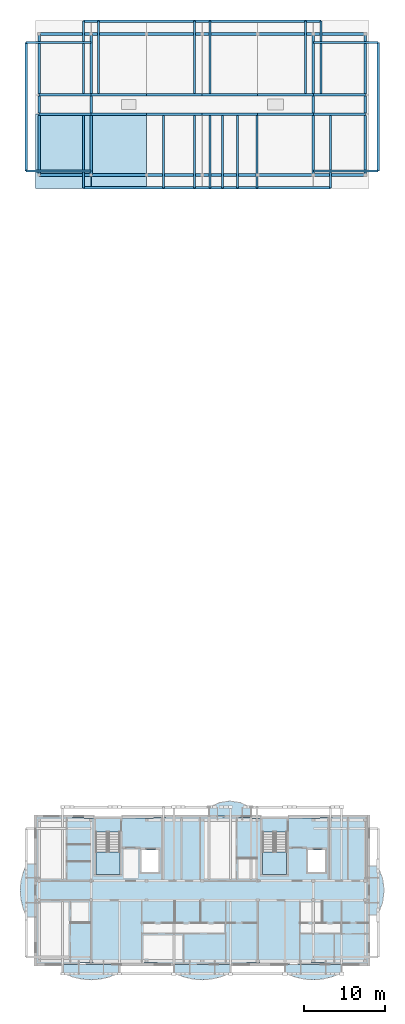
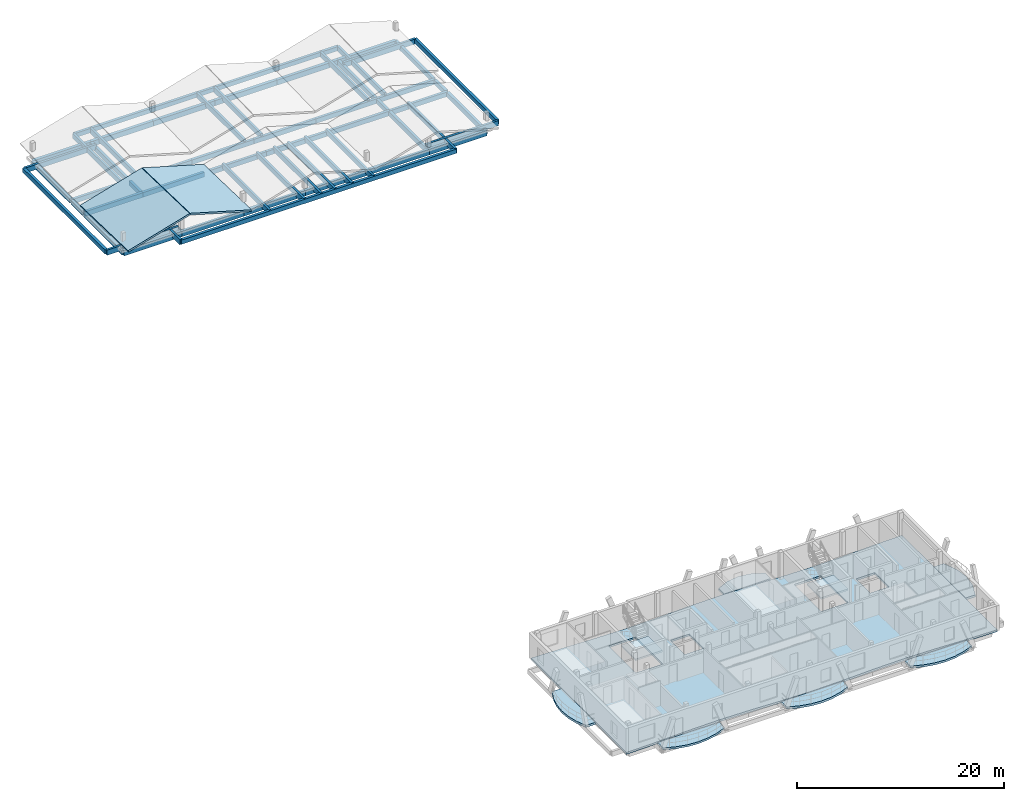
# One storey, part 2 of 10: 58 beams, 11 slabs, 2 elements without a shape of their own.
"""IFC4 building model written with IfcOpenShell, lengths in metres."""

from ifc_helpers import new_model, si_unit, direction, frame, origin, origin_2d, place, context, subcontext, project, spatial, polyline, rectangle, outline, extrude, material, layer, layer_set, material_profile, profile_set, type_object, element, aggregate, save


model = new_model("IFC4")

# Units and contexts
model_context = context("Model", 3, precision=1e-05, world=origin(), true_north=direction((0.0, 1.0)))
body_context = subcontext(model_context, "Body", "Model", "MODEL_VIEW")
ifc_project = project(units=[si_unit("LENGTHUNIT", "METRE"), si_unit("AREAUNIT", "SQUARE_METRE"), si_unit("VOLUMEUNIT", "CUBIC_METRE"), si_unit("PLANEANGLEUNIT", "RADIAN"), si_unit("MASSUNIT", "GRAM", prefix="KILO")], contexts=[model_context])

# Site, building, storey
site_placement = place(None, origin())
site = spatial("IfcSite", under=ifc_project, at=site_placement, CompositionType="ELEMENT")
building_placement = place(site_placement, origin())
building = spatial("IfcBuilding", under=site, at=building_placement, Name="Zavelmont Quarter", CompositionType="ELEMENT")
storey_placement = place(building_placement, frame((0.0, 0.0, 43.199951171875)))
storey = spatial("IfcBuildingStorey", under=building, at=storey_placement, Name="L13", CompositionType="ELEMENT", Elevation=43.199951171875)

# Beams
ifc_material_1 = material(Name="Concrete C35/45", Category="concrete")
ifc_material_profile_1 = material_profile(ifc_material_1, rectangle(XDim=0.35009765625, YDim=0.60009765625, at=origin_2d()), Name="RC350X600")
ifc_profile_set_1 = profile_set([ifc_material_profile_1], Name="Concrete C35/45")
beam_type_1 = type_object("IfcBeamType", Name="BM01", PredefinedType="SPANDREL", material=ifc_profile_set_1)
beam_1_placement = place(storey_placement, frame((0.43994140625, 98.0400390625, -0.58984375), z_axis=(1.0, 0.0, 0.0), x_axis=(0.0, 1.0, 0.0)))
element("IfcBeam", 1, at=beam_1_placement, inside=storey, type_object=beam_type_1, Name="L13 beam BM01 1/P to 2/P", PredefinedType="SPANDREL", context=body_context, shape_type="SweptSolid", body=[
    extrude(rectangle(XDim=0.35009765625, YDim=0.60009765625, at=origin_2d()), origin(), (0.0, 0.0, 1.0), 6.4599609375),
])
beam_2_placement = place(storey_placement, frame((6.89990234375, 98.0400390625, -0.58984375), z_axis=(1.0, 0.0, 0.0), x_axis=(0.0, 1.0, 0.0)))
element("IfcBeam", 2, at=beam_2_placement, inside=storey, type_object=beam_type_1, Name="L13 beam BM01 2/P to 3/P", PredefinedType="SPANDREL", context=body_context, shape_type="SweptSolid", body=[
    extrude(rectangle(XDim=0.35009765625, YDim=0.60009765625, at=origin_2d()), origin(), (0.0, 0.0, 1.0), 6.900146484375),
])
beam_3_placement = place(storey_placement, frame((13.800048828125, 98.0400390625, -0.58984375), z_axis=(1.0, 0.0, 0.0), x_axis=(0.0, 1.0, 0.0)))
element("IfcBeam", 3, at=beam_3_placement, inside=storey, type_object=beam_type_1, Name="L13 beam BM01 3/P to 4/P", PredefinedType="SPANDREL", context=body_context, shape_type="SweptSolid", body=[
    extrude(rectangle(XDim=0.35009765625, YDim=0.60009765625, at=origin_2d()), origin(), (0.0, 0.0, 1.0), 6.89990234375),
])
beam_4_placement = place(storey_placement, frame((20.699951171875, 98.0400390625, -0.58984375), z_axis=(1.0, 0.0, 0.0), x_axis=(0.0, 1.0, 0.0)))
element("IfcBeam", 4, at=beam_4_placement, inside=storey, type_object=beam_type_1, Name="L13 beam BM01 4/P to 5/P", PredefinedType="SPANDREL", context=body_context, shape_type="SweptSolid", body=[
    extrude(rectangle(XDim=0.35009765625, YDim=0.60009765625, at=origin_2d()), origin(), (0.0, 0.0, 1.0), 6.900146484375),
])
beam_5_placement = place(storey_placement, frame((27.60009765625, 98.0400390625, -0.58984375), z_axis=(1.0, 0.0, 0.0), x_axis=(0.0, 1.0, 0.0)))
element("IfcBeam", 5, at=beam_5_placement, inside=storey, type_object=beam_type_1, Name="L13 beam BM01 5/P to 6/P", PredefinedType="SPANDREL", context=body_context, shape_type="SweptSolid", body=[
    extrude(rectangle(XDim=0.35009765625, YDim=0.60009765625, at=origin_2d()), origin(), (0.0, 0.0, 1.0), 6.89990234375),
])
for number, where, z_axis, x_axis, name in (
    (6, (34.5, 98.0400390625, -0.58984375), (1.0, 0.0, 0.0), (0.0, 1.0, 0.0), "L13 beam BM01 6/P to 7/P"),
    (7, (0.43994140625, 115.56005859375, -0.58984375), (1.0, 0.0, 0.0), (0.0, 1.0, 0.0), "L13 beam BM01 1/S to 2/S"),
):
    element("IfcBeam", number, at=place(storey_placement, frame(where, z_axis=z_axis, x_axis=x_axis)), inside=storey, type_object=beam_type_1, Name=name, PredefinedType="SPANDREL", context=body_context, shape_type="SweptSolid", body=[
        extrude(rectangle(XDim=0.35009765625, YDim=0.60009765625, at=origin_2d()), origin(), (0.0, 0.0, 1.0), 6.4599609375),
    ])
beam_6_placement = place(storey_placement, frame((6.89990234375, 115.56005859375, -0.58984375), z_axis=(1.0, 0.0, 0.0), x_axis=(0.0, 1.0, 0.0)))
element("IfcBeam", 8, at=beam_6_placement, inside=storey, type_object=beam_type_1, Name="L13 beam BM01 2/S to 3/S", PredefinedType="SPANDREL", context=body_context, shape_type="SweptSolid", body=[
    extrude(rectangle(XDim=0.35009765625, YDim=0.60009765625, at=origin_2d()), origin(), (0.0, 0.0, 1.0), 6.900146484375),
])
beam_7_placement = place(storey_placement, frame((13.800048828125, 115.56005859375, -0.58984375), z_axis=(1.0, 0.0, 0.0), x_axis=(0.0, 1.0, 0.0)))
element("IfcBeam", 9, at=beam_7_placement, inside=storey, type_object=beam_type_1, Name="L13 beam BM01 3/S to 4/S", PredefinedType="SPANDREL", context=body_context, shape_type="SweptSolid", body=[
    extrude(rectangle(XDim=0.35009765625, YDim=0.60009765625, at=origin_2d()), origin(), (0.0, 0.0, 1.0), 6.89990234375),
])
beam_8_placement = place(storey_placement, frame((20.699951171875, 115.56005859375, -0.58984375), z_axis=(1.0, 0.0, 0.0), x_axis=(0.0, 1.0, 0.0)))
element("IfcBeam", 10, at=beam_8_placement, inside=storey, type_object=beam_type_1, Name="L13 beam BM01 4/S to 5/S", PredefinedType="SPANDREL", context=body_context, shape_type="SweptSolid", body=[
    extrude(rectangle(XDim=0.35009765625, YDim=0.60009765625, at=origin_2d()), origin(), (0.0, 0.0, 1.0), 6.900146484375),
])
beam_9_placement = place(storey_placement, frame((27.60009765625, 115.56005859375, -0.58984375), z_axis=(1.0, 0.0, 0.0), x_axis=(0.0, 1.0, 0.0)))
element("IfcBeam", 11, at=beam_9_placement, inside=storey, type_object=beam_type_1, Name="L13 beam BM01 5/S to 6/S", PredefinedType="SPANDREL", context=body_context, shape_type="SweptSolid", body=[
    extrude(rectangle(XDim=0.35009765625, YDim=0.60009765625, at=origin_2d()), origin(), (0.0, 0.0, 1.0), 6.89990234375),
])
beam_10_placement = place(storey_placement, frame((34.5, 115.56005859375, -0.58984375), z_axis=(1.0, 0.0, 0.0), x_axis=(0.0, 1.0, 0.0)))
element("IfcBeam", 12, at=beam_10_placement, inside=storey, type_object=beam_type_1, Name="L13 beam BM01 6/S to 7/S", PredefinedType="SPANDREL", context=body_context, shape_type="SweptSolid", body=[
    extrude(rectangle(XDim=0.35009765625, YDim=0.60009765625, at=origin_2d()), origin(), (0.0, 0.0, 1.0), 6.4599609375),
])
ifc_material_profile_2 = material_profile(ifc_material_1, rectangle(XDim=0.300048828125, YDim=0.550048828125, at=origin_2d()), Name="RC300X550")
ifc_profile_set_2 = profile_set([ifc_material_profile_2], Name="Concrete C35/45")
beam_type_2 = type_object("IfcBeamType", Name="BM02", PredefinedType="SPANDREL", material=ifc_profile_set_2)
beam_11_placement = place(storey_placement, frame((0.43994140625, 105.60009765625, -0.56494140625), z_axis=(1.0, 0.0, 0.0), x_axis=(0.0, 1.0, 0.0)))
element("IfcBeam", 13, at=beam_11_placement, inside=storey, type_object=beam_type_2, Name="L13 beam BM02 1/Q to 2/Q", PredefinedType="SPANDREL", context=body_context, shape_type="SweptSolid", body=[
    extrude(rectangle(XDim=0.300048828125, YDim=0.550048828125, at=origin_2d()), origin(), (0.0, 0.0, 1.0), 6.4599609375),
])
beam_12_placement = place(storey_placement, frame((6.89990234375, 105.60009765625, -0.56494140625), z_axis=(1.0, 0.0, 0.0), x_axis=(0.0, 1.0, 0.0)))
element("IfcBeam", 14, at=beam_12_placement, inside=storey, type_object=beam_type_2, Name="L13 beam BM02 2/Q to 3/Q", PredefinedType="SPANDREL", context=body_context, shape_type="SweptSolid", body=[
    extrude(rectangle(XDim=0.300048828125, YDim=0.550048828125, at=origin_2d()), origin(), (0.0, 0.0, 1.0), 6.900146484375),
])
beam_13_placement = place(storey_placement, frame((13.800048828125, 105.60009765625, -0.56494140625), z_axis=(1.0, 0.0, 0.0), x_axis=(0.0, 1.0, 0.0)))
element("IfcBeam", 15, at=beam_13_placement, inside=storey, type_object=beam_type_2, Name="L13 beam BM02 3/Q to 4/Q", PredefinedType="SPANDREL", context=body_context, shape_type="SweptSolid", body=[
    extrude(rectangle(XDim=0.300048828125, YDim=0.550048828125, at=origin_2d()), origin(), (0.0, 0.0, 1.0), 6.89990234375),
])
beam_14_placement = place(storey_placement, frame((20.699951171875, 105.60009765625, -0.56494140625), z_axis=(1.0, 0.0, 0.0), x_axis=(0.0, 1.0, 0.0)))
element("IfcBeam", 16, at=beam_14_placement, inside=storey, type_object=beam_type_2, Name="L13 beam BM02 4/Q to 5/Q", PredefinedType="SPANDREL", context=body_context, shape_type="SweptSolid", body=[
    extrude(rectangle(XDim=0.300048828125, YDim=0.550048828125, at=origin_2d()), origin(), (0.0, 0.0, 1.0), 6.900146484375),
])
beam_15_placement = place(storey_placement, frame((27.60009765625, 105.60009765625, -0.56494140625), z_axis=(1.0, 0.0, 0.0), x_axis=(0.0, 1.0, 0.0)))
element("IfcBeam", 17, at=beam_15_placement, inside=storey, type_object=beam_type_2, Name="L13 beam BM02 5/Q to 6/Q", PredefinedType="SPANDREL", context=body_context, shape_type="SweptSolid", body=[
    extrude(rectangle(XDim=0.300048828125, YDim=0.550048828125, at=origin_2d()), origin(), (0.0, 0.0, 1.0), 6.89990234375),
])
for number, where, z_axis, x_axis, name in (
    (18, (34.5, 105.60009765625, -0.56494140625), (1.0, 0.0, 0.0), (0.0, 1.0, 0.0), "L13 beam BM02 6/Q to 7/Q"),
    (19, (0.43994140625, 108.0, -0.56494140625), (1.0, 0.0, 0.0), (0.0, 1.0, 0.0), "L13 beam BM02 1/R to 2/R"),
):
    element("IfcBeam", number, at=place(storey_placement, frame(where, z_axis=z_axis, x_axis=x_axis)), inside=storey, type_object=beam_type_2, Name=name, PredefinedType="SPANDREL", context=body_context, shape_type="SweptSolid", body=[
        extrude(rectangle(XDim=0.300048828125, YDim=0.550048828125, at=origin_2d()), origin(), (0.0, 0.0, 1.0), 6.4599609375),
    ])
beam_16_placement = place(storey_placement, frame((6.89990234375, 108.0, -0.56494140625), z_axis=(1.0, 0.0, 0.0), x_axis=(0.0, 1.0, 0.0)))
element("IfcBeam", 20, at=beam_16_placement, inside=storey, type_object=beam_type_2, Name="L13 beam BM02 2/R to 3/R", PredefinedType="SPANDREL", context=body_context, shape_type="SweptSolid", body=[
    extrude(rectangle(XDim=0.300048828125, YDim=0.550048828125, at=origin_2d()), origin(), (0.0, 0.0, 1.0), 6.900146484375),
])
beam_17_placement = place(storey_placement, frame((13.800048828125, 108.0, -0.56494140625), z_axis=(1.0, 0.0, 0.0), x_axis=(0.0, 1.0, 0.0)))
element("IfcBeam", 21, at=beam_17_placement, inside=storey, type_object=beam_type_2, Name="L13 beam BM02 3/R to 4/R", PredefinedType="SPANDREL", context=body_context, shape_type="SweptSolid", body=[
    extrude(rectangle(XDim=0.300048828125, YDim=0.550048828125, at=origin_2d()), origin(), (0.0, 0.0, 1.0), 6.89990234375),
])
beam_18_placement = place(storey_placement, frame((20.699951171875, 108.0, -0.56494140625), z_axis=(1.0, 0.0, 0.0), x_axis=(0.0, 1.0, 0.0)))
element("IfcBeam", 22, at=beam_18_placement, inside=storey, type_object=beam_type_2, Name="L13 beam BM02 4/R to 5/R", PredefinedType="SPANDREL", context=body_context, shape_type="SweptSolid", body=[
    extrude(rectangle(XDim=0.300048828125, YDim=0.550048828125, at=origin_2d()), origin(), (0.0, 0.0, 1.0), 6.900146484375),
])
beam_19_placement = place(storey_placement, frame((27.60009765625, 108.0, -0.56494140625), z_axis=(1.0, 0.0, 0.0), x_axis=(0.0, 1.0, 0.0)))
element("IfcBeam", 23, at=beam_19_placement, inside=storey, type_object=beam_type_2, Name="L13 beam BM02 5/R to 6/R", PredefinedType="SPANDREL", context=body_context, shape_type="SweptSolid", body=[
    extrude(rectangle(XDim=0.300048828125, YDim=0.550048828125, at=origin_2d()), origin(), (0.0, 0.0, 1.0), 6.89990234375),
])
beam_20_placement = place(storey_placement, frame((34.5, 108.0, -0.56494140625), z_axis=(1.0, 0.0, 0.0), x_axis=(0.0, 1.0, 0.0)))
element("IfcBeam", 24, at=beam_20_placement, inside=storey, type_object=beam_type_2, Name="L13 beam BM02 6/R to 7/R", PredefinedType="SPANDREL", context=body_context, shape_type="SweptSolid", body=[
    extrude(rectangle(XDim=0.300048828125, YDim=0.550048828125, at=origin_2d()), origin(), (0.0, 0.0, 1.0), 6.4599609375),
])
beam_21_placement = place(storey_placement, frame((0.43994140625, 98.0400390625, -0.56494140625), z_axis=(0.0, 1.0, 0.0), x_axis=(-1.0, 0.0, 0.0)))
element("IfcBeam", 25, at=beam_21_placement, inside=storey, type_object=beam_type_2, Name="L13 beam BM02 1/P to 1/Q", PredefinedType="SPANDREL", context=body_context, shape_type="SweptSolid", body=[
    extrude(rectangle(XDim=0.300048828125, YDim=0.550048828125, at=origin_2d()), origin(), (0.0, 0.0, 1.0), 7.419921875),
])
beam_22_placement = place(storey_placement, frame((0.43994140625, 105.739990234375, -0.56494140625), z_axis=(0.0, 1.0, 0.0), x_axis=(-1.0, 0.0, 0.0)))
element("IfcBeam", 26, at=beam_22_placement, inside=storey, type_object=beam_type_2, Name="L13 beam BM02 1/Q to 1/R", PredefinedType="SPANDREL", context=body_context, shape_type="SweptSolid", body=[
    extrude(rectangle(XDim=0.300048828125, YDim=0.550048828125, at=origin_2d()), origin(), (0.0, 0.0, 1.0), 2.1201171875),
])
beam_23_placement = place(storey_placement, frame((0.43994140625, 108.139892578125, -0.56494140625), z_axis=(0.0, 1.0, 0.0), x_axis=(-1.0, 0.0, 0.0)))
element("IfcBeam", 27, at=beam_23_placement, inside=storey, type_object=beam_type_2, Name="L13 beam BM02 1/R to 1/S", PredefinedType="SPANDREL", context=body_context, shape_type="SweptSolid", body=[
    extrude(rectangle(XDim=0.300048828125, YDim=0.550048828125, at=origin_2d()), origin(), (0.0, 0.0, 1.0), 7.420166015625),
])
beam_24_placement = place(storey_placement, frame((6.89990234375, 98.0400390625, -0.56494140625), z_axis=(0.0, 1.0, 0.0), x_axis=(-1.0, 0.0, 0.0)))
element("IfcBeam", 28, at=beam_24_placement, inside=storey, type_object=beam_type_2, Name="L13 beam BM02 2/P to 2/Q", PredefinedType="SPANDREL", context=body_context, shape_type="SweptSolid", body=[
    extrude(rectangle(XDim=0.300048828125, YDim=0.550048828125, at=origin_2d()), origin(), (0.0, 0.0, 1.0), 7.419921875),
])
beam_25_placement = place(storey_placement, frame((6.89990234375, 105.739990234375, -0.56494140625), z_axis=(0.0, 1.0, 0.0), x_axis=(-1.0, 0.0, 0.0)))
element("IfcBeam", 29, at=beam_25_placement, inside=storey, type_object=beam_type_2, Name="L13 beam BM02 2/Q to 2/R", PredefinedType="SPANDREL", context=body_context, shape_type="SweptSolid", body=[
    extrude(rectangle(XDim=0.300048828125, YDim=0.550048828125, at=origin_2d()), origin(), (0.0, 0.0, 1.0), 2.1201171875),
])
beam_26_placement = place(storey_placement, frame((6.89990234375, 108.139892578125, -0.56494140625), z_axis=(0.0, 1.0, 0.0), x_axis=(-1.0, 0.0, 0.0)))
element("IfcBeam", 30, at=beam_26_placement, inside=storey, type_object=beam_type_2, Name="L13 beam BM02 2/R to 2/S", PredefinedType="SPANDREL", context=body_context, shape_type="SweptSolid", body=[
    extrude(rectangle(XDim=0.300048828125, YDim=0.550048828125, at=origin_2d()), origin(), (0.0, 0.0, 1.0), 7.420166015625),
])
beam_27_placement = place(storey_placement, frame((34.5, 98.0400390625, -0.56494140625), z_axis=(0.0, 1.0, 0.0), x_axis=(-1.0, 0.0, 0.0)))
element("IfcBeam", 31, at=beam_27_placement, inside=storey, type_object=beam_type_2, Name="L13 beam BM02 6/P to 6/Q", PredefinedType="SPANDREL", context=body_context, shape_type="SweptSolid", body=[
    extrude(rectangle(XDim=0.300048828125, YDim=0.550048828125, at=origin_2d()), origin(), (0.0, 0.0, 1.0), 7.419921875),
])
beam_28_placement = place(storey_placement, frame((34.5, 105.739990234375, -0.56494140625), z_axis=(0.0, 1.0, 0.0), x_axis=(-1.0, 0.0, 0.0)))
element("IfcBeam", 32, at=beam_28_placement, inside=storey, type_object=beam_type_2, Name="L13 beam BM02 6/Q to 6/R", PredefinedType="SPANDREL", context=body_context, shape_type="SweptSolid", body=[
    extrude(rectangle(XDim=0.300048828125, YDim=0.550048828125, at=origin_2d()), origin(), (0.0, 0.0, 1.0), 2.1201171875),
])
beam_29_placement = place(storey_placement, frame((34.5, 108.139892578125, -0.56494140625), z_axis=(0.0, 1.0, 0.0), x_axis=(-1.0, 0.0, 0.0)))
element("IfcBeam", 33, at=beam_29_placement, inside=storey, type_object=beam_type_2, Name="L13 beam BM02 6/R to 6/S", PredefinedType="SPANDREL", context=body_context, shape_type="SweptSolid", body=[
    extrude(rectangle(XDim=0.300048828125, YDim=0.550048828125, at=origin_2d()), origin(), (0.0, 0.0, 1.0), 7.420166015625),
])
beam_30_placement = place(storey_placement, frame((40.9599609375, 98.0400390625, -0.56494140625), z_axis=(0.0, 1.0, 0.0), x_axis=(-1.0, 0.0, 0.0)))
element("IfcBeam", 34, at=beam_30_placement, inside=storey, type_object=beam_type_2, Name="L13 beam BM02 7/P to 7/Q", PredefinedType="SPANDREL", context=body_context, shape_type="SweptSolid", body=[
    extrude(rectangle(XDim=0.300048828125, YDim=0.550048828125, at=origin_2d()), origin(), (0.0, 0.0, 1.0), 7.419921875),
])
beam_31_placement = place(storey_placement, frame((40.9599609375, 105.739990234375, -0.56494140625), z_axis=(0.0, 1.0, 0.0), x_axis=(-1.0, 0.0, 0.0)))
element("IfcBeam", 35, at=beam_31_placement, inside=storey, type_object=beam_type_2, Name="L13 beam BM02 7/Q to 7/R", PredefinedType="SPANDREL", context=body_context, shape_type="SweptSolid", body=[
    extrude(rectangle(XDim=0.300048828125, YDim=0.550048828125, at=origin_2d()), origin(), (0.0, 0.0, 1.0), 2.1201171875),
])
beam_32_placement = place(storey_placement, frame((40.9599609375, 108.139892578125, -0.56494140625), z_axis=(0.0, 1.0, 0.0), x_axis=(-1.0, 0.0, 0.0)))
element("IfcBeam", 36, at=beam_32_placement, inside=storey, type_object=beam_type_2, Name="L13 beam BM02 7/R to 7/S", PredefinedType="SPANDREL", context=body_context, shape_type="SweptSolid", body=[
    extrude(rectangle(XDim=0.300048828125, YDim=0.550048828125, at=origin_2d()), origin(), (0.0, 0.0, 1.0), 7.420166015625),
])
ifc_material_profile_3 = material_profile(ifc_material_1, rectangle(XDim=0.300048828125, YDim=0.5, at=origin_2d()), Name="RC300X500")
ifc_profile_set_3 = profile_set([ifc_material_profile_3], Name="Concrete C35/45")
beam_type_3 = type_object("IfcBeamType", Name="BM03", PredefinedType="BEAM", material=ifc_profile_set_3)
beam_33_placement = place(storey_placement, frame((5.949951171875, 117.14990234375, -0.25), z_axis=(1.0, 0.0, 0.0), x_axis=(0.0, 1.0, 0.0)))
element("IfcBeam", 37, at=beam_33_placement, inside=storey, type_object=beam_type_3, Name="L13 beam BM03 2/S to 6/S", PredefinedType="BEAM", context=body_context, shape_type="SweptSolid", body=[
    extrude(rectangle(XDim=0.300048828125, YDim=0.5, at=origin_2d()), origin(), (0.0, 0.0, 1.0), 29.5),
])
beam_34_placement = place(storey_placement, frame((5.949951171875, 96.449951171875, -0.25), z_axis=(1.0, 0.0, 0.0), x_axis=(0.0, 1.0, 0.0)))
element("IfcBeam", 38, at=beam_34_placement, inside=storey, type_object=beam_type_3, Name="L13 beam BM03 2/P to 6/P", PredefinedType="BEAM", context=body_context, shape_type="SweptSolid", body=[
    extrude(rectangle(XDim=0.300048828125, YDim=0.5, at=origin_2d()), origin(), (0.0, 0.0, 1.0), 30.675048828125),
])
for number, where, z_axis, x_axis, name in (
    (39, (-1.14990234375, 98.550048828125, -0.25), (0.0, 1.0, 0.0), (-1.0, 0.0, 0.0), "L13 beam BM03 1/P to 1/S"),
    (40, (42.550048828125, 98.550048828125, -0.25), (0.0, 1.0, 0.0), (-1.0, 0.0, 0.0), "L13 beam BM03 7/P to 7/S"),
):
    element("IfcBeam", number, at=place(storey_placement, frame(where, z_axis=z_axis, x_axis=x_axis)), inside=storey, type_object=beam_type_3, Name=name, PredefinedType="BEAM", context=body_context, shape_type="SweptSolid", body=[
        extrude(rectangle(XDim=0.300048828125, YDim=0.5, at=origin_2d()), origin(), (0.0, 0.0, 1.0), 15.949951171875),
    ])
ifc_material_2 = material(Name="Concrete C40/50", Category="concrete")
ifc_material_profile_4 = material_profile(ifc_material_2, rectangle(XDim=0.25, YDim=0.60009765625, at=origin_2d()), Name="RC250X600")
ifc_profile_set_4 = profile_set([ifc_material_profile_4], Name="Concrete C40/50")
beam_type_4 = type_object("IfcBeamType", Name="BM18", PredefinedType="BEAM", material=ifc_profile_set_4)
for number, where, z_axis, x_axis, name in (
    (41, (5.949951171875, 108.0, -0.300048828125), (0.0, 1.0, 0.0), (-1.0, 0.0, 0.0), "L13 beam BM18 2/R to 2/S"),
    (42, (7.85009765625, 108.0, -0.300048828125), (0.0, 1.0, 0.0), (-1.0, 0.0, 0.0), "L13 beam BM18 2/R to 2/S"),
    (43, (19.75, 108.0, -0.300048828125), (0.0, 1.0, 0.0), (-1.0, 0.0, 0.0), "L13 beam BM18 4/R to 4/S"),
    (44, (21.64990234375, 108.0, -0.300048828125), (0.0, 1.0, 0.0), (-1.0, 0.0, 0.0), "L13 beam BM18 4/R to 4/S"),
    (45, (33.550048828125, 108.0, -0.300048828125), (0.0, 1.0, 0.0), (-1.0, 0.0, 0.0), "L13 beam BM18 6/R to 6/S"),
    (46, (35.449951171875, 108.0, -0.300048828125), (0.0, 1.0, 0.0), (-1.0, 0.0, 0.0), "L13 beam BM18 6/R to 6/S"),
):
    element("IfcBeam", number, at=place(storey_placement, frame(where, z_axis=z_axis, x_axis=x_axis)), inside=storey, type_object=beam_type_4, Name=name, PredefinedType="BEAM", context=body_context, shape_type="SweptSolid", body=[
        extrude(rectangle(XDim=0.25, YDim=0.60009765625, at=origin_2d()), origin(), (0.0, 0.0, 1.0), 9.14990234375),
    ])
for number, where, z_axis, x_axis, name in (
    (47, (5.949951171875, 105.60009765625, -0.300048828125), (0.0, -1.0, 0.0), (1.0, 0.0, 0.0), "L13 beam BM18 2/Q to 2/P"),
    (48, (15.925048828125, 105.60009765625, -0.300048828125), (0.0, -1.0, 0.0), (1.0, 0.0, 0.0), "L13 beam BM18 3/Q to 3/P"),
    (49, (19.75, 105.60009765625, -0.300048828125), (0.0, -1.0, 0.0), (1.0, 0.0, 0.0), "L13 beam BM18 4/Q to 4/P"),
    (50, (21.64990234375, 105.60009765625, -0.300048828125), (0.0, -1.0, 0.0), (1.0, 0.0, 0.0), "L13 beam BM18 4/Q to 4/P"),
    (51, (27.5, 105.60009765625, -0.300048828125), (0.0, -1.0, 0.0), (1.0, 0.0, 0.0), "L13 beam BM18 5/Q to 5/P"),
    (52, (36.625, 105.60009765625, -0.300048828125), (0.0, -1.0, 0.0), (1.0, 0.0, 0.0), "L13 beam BM18 6/Q to 6/P"),
    (53, (23.199951171875, 105.60009765625, -0.300048828125), (0.0, -1.0, 0.0), (1.0, 0.0, 0.0), "L13 beam BM18 4/Q to 4/P"),
    (54, (25.10009765625, 105.60009765625, -0.300048828125), (0.0, -1.0, 0.0), (1.0, 0.0, 0.0), "L13 beam BM18 5/Q to 5/P"),
):
    element("IfcBeam", number, at=place(storey_placement, frame(where, z_axis=z_axis, x_axis=x_axis)), inside=storey, type_object=beam_type_4, Name=name, PredefinedType="BEAM", context=body_context, shape_type="SweptSolid", body=[
        extrude(rectangle(XDim=0.25, YDim=0.60009765625, at=origin_2d()), origin(), (0.0, 0.0, 1.0), 9.150146484375),
    ])
for number, where, z_axis, x_axis, name in (
    (55, (6.89990234375, 98.550048828125, -0.300048828125), (-1.0, 0.0, 0.0), (0.0, -1.0, 0.0), "L13 beam BM18 2/P to 1/P"),
    (56, (6.89990234375, 114.5, -0.300048828125), (-1.0, 0.0, 0.0), (0.0, -1.0, 0.0), "L13 beam BM18 2/S to 1/S"),
):
    element("IfcBeam", number, at=place(storey_placement, frame(where, z_axis=z_axis, x_axis=x_axis)), inside=storey, type_object=beam_type_4, Name=name, PredefinedType="BEAM", context=body_context, shape_type="SweptSolid", body=[
        extrude(rectangle(XDim=0.25, YDim=0.60009765625, at=origin_2d()), origin(), (0.0, 0.0, 1.0), 8.0498046875),
    ])
for number, where, z_axis, x_axis, name in (
    (57, (34.5, 98.550048828125, -0.300048828125), (1.0, 0.0, 0.0), (0.0, 1.0, 0.0), "L13 beam BM18 6/P to 7/P"),
    (58, (34.5, 114.5, -0.300048828125), (1.0, 0.0, 0.0), (0.0, 1.0, 0.0), "L13 beam BM18 6/S to 7/S"),
):
    element("IfcBeam", number, at=place(storey_placement, frame(where, z_axis=z_axis, x_axis=x_axis)), inside=storey, type_object=beam_type_4, Name=name, PredefinedType="BEAM", context=body_context, shape_type="SweptSolid", body=[
        extrude(rectangle(XDim=0.25, YDim=0.60009765625, at=origin_2d()), origin(), (0.0, 0.0, 1.0), 8.050048828125),
    ])

# Slabs
ifc_material_3 = material(Name="White architectural precast concrete C40/50", Category="concrete")
ifc_layer_1 = layer(ifc_material_3, 0.199951171875)
ifc_layer_set_1 = layer_set([ifc_layer_1], Name="White architectural precast concrete C40/50")
slab_type_1 = type_object("IfcSlabType", Name="CRBS1", PredefinedType="ROOF", material=ifc_layer_set_1)
slab_1_placement = place(storey_placement, frame((0.0, 96.35009765625, 0.800048828125), z_axis=(-0.278254898233, 0.025880556403, 0.960158532957), x_axis=(0.960480253212, 0.0, 0.278348133082)))
element("IfcSlab", 59, at=slab_1_placement, inside=storey, type_object=slab_type_1, Name="Block B pleated crown roof CRBS1", PredefinedType="ROOF", context=body_context, shape_type="SweptSolid", body=[
    extrude(outline(polyline([(0.0, 0.0), (7.1527937867830085, -6.938893903907228e-18), (7.083206753512389, 9.278010084651765), (-0.06958703327061955, 9.278010084651765), (0.0, 0.0)])), origin(), (0.0, 0.0, -1.0), 0.199951171875),
])
ifc_layer_2 = layer(ifc_material_3, 0.199951171875)
ifc_layer_set_2 = layer_set([ifc_layer_2], Name="White architectural precast concrete C40/50")
slab_type_2 = type_object("IfcSlabType", Name="CRBS2", PredefinedType="ROOF", material=ifc_layer_set_2)
slab_2_placement = place(storey_placement, frame((6.929931640625, 96.35009765625, 2.791015625), z_axis=(0.278254898233, 0.025880556403, 0.960158532957), x_axis=(0.960480253212, 0.0, -0.278348133082)))
element("IfcSlab", 60, at=slab_2_placement, inside=storey, type_object=slab_type_2, Name="Block B pleated crown roof CRBS2", PredefinedType="ROOF", context=body_context, shape_type="SweptSolid", body=[
    extrude(outline(polyline([(0.0, 0.0), (7.1527937867830085, 6.938893903907228e-18), (7.222380820053628, 9.278010084651765), (0.06958703327061955, 9.278010084651765), (0.0, 0.0)])), origin(), (0.0, 0.0, -1.0), 0.199951171875),
])
ifc_layer_3 = layer(ifc_material_3, 0.235107421875)
ifc_layer_set_3 = layer_set([ifc_layer_3], Name="White architectural precast concrete C40/50")
slab_type_3 = type_object("IfcSlabType", Name="SL-BL180", PredefinedType="FLOOR", material=ifc_layer_set_3)
slab_3_placement = place(storey_placement, frame((0.0, 0.0, -0.23486328125)))
element("IfcSlab", 61, at=slab_3_placement, inside=storey, type_object=slab_type_3, Name="L13 Block A street vase 1 balcony SL-BL180", PredefinedType="FLOOR", context=body_context, shape_type="SweptSolid", body=[
    extrude(outline(polyline([(3.47119140625, -0.02001953125), (3.47119140625, -1.10009765625), (4.614013671875, -1.545654296875), (5.757080078125, -1.81298828125), (6.89990234375, -1.902099609375), (8.04296875, -1.81298828125), (9.185791015625, -1.545654296875), (10.328857421875, -1.10009765625), (10.328857421875, -0.02001953125), (3.47119140625, -0.02001953125)])), origin(), (0.0, 0.0, 1.0), 0.23486328125),
])
slab_4_placement = place(storey_placement, frame((0.0, 0.0, -0.23486328125)))
element("IfcSlab", 62, at=slab_4_placement, inside=storey, type_object=slab_type_3, Name="L13 Block A courtyard central vase balcony SL-BL180", PredefinedType="FLOOR", context=body_context, shape_type="SweptSolid", body=[
    extrude(outline(polyline([(26.748046875, 18.419921875), (26.748046875, 19.5), (25.448974609375, 20.1015625), (24.14990234375, 20.302001953125), (22.85107421875, 20.1015625), (21.552001953125, 19.5), (21.552001953125, 18.419921875), (26.748046875, 18.419921875)])), origin(), (0.0, 0.0, 1.0), 0.23486328125),
])
ifc_layer_4 = layer(ifc_material_3, 0.2451171875)
ifc_layer_set_4 = layer_set([ifc_layer_4], Name="White architectural precast concrete C40/50")
slab_type_4 = type_object("IfcSlabType", Name="SL-BL200", PredefinedType="FLOOR", material=ifc_layer_set_4)
slab_5_placement = place(storey_placement, frame((0.0, 0.0, -0.244873046875)))
element("IfcSlab", 63, at=slab_5_placement, inside=storey, type_object=slab_type_4, Name="L13 Block A street vase 3 balcony SL-BL200", PredefinedType="FLOOR", context=body_context, shape_type="SweptSolid", body=[
    extrude(outline(polyline([(31.071044921875, -0.02001953125), (31.071044921875, -1.10009765625), (32.214111328125, -1.545654296875), (33.35693359375, -1.81298828125), (34.5, -1.902099609375), (35.64306640625, -1.81298828125), (36.785888671875, -1.545654296875), (37.928955078125, -1.10009765625), (37.928955078125, -0.02001953125), (31.071044921875, -0.02001953125)])), origin(), (0.0, 0.0, 1.0), 0.244873046875),
])
slab_6_placement = place(storey_placement, frame((0.0, 0.0, -0.244873046875)))
element("IfcSlab", 64, at=slab_6_placement, inside=storey, type_object=slab_type_4, Name="L13 Block A courtyard return vase balcony SL-BL200", PredefinedType="FLOOR", context=body_context, shape_type="SweptSolid", body=[
    extrude(outline(polyline([(41.419921875, 6.148193359375), (42.5, 6.148193359375), (43.1015625, 7.674072265625), (43.302001953125, 9.199951171875), (43.1015625, 10.725830078125), (42.5, 12.251708984375), (41.419921875, 12.251708984375), (41.419921875, 6.148193359375)])), origin(), (0.0, 0.0, 1.0), 0.244873046875),
])
ifc_layer_5 = layer(ifc_material_3, 0.2548828125)
ifc_layer_set_5 = layer_set([ifc_layer_5], Name="White architectural precast concrete C40/50")
slab_type_5 = type_object("IfcSlabType", Name="SL-BL220", PredefinedType="FLOOR", material=ifc_layer_set_5)
slab_7_placement = place(storey_placement, frame((0.0, 0.0, -0.2548828125)))
element("IfcSlab", 65, at=slab_7_placement, inside=storey, type_object=slab_type_5, Name="L13 Block A street vase 2 balcony SL-BL220", PredefinedType="FLOOR", context=body_context, shape_type="SweptSolid", body=[
    extrude(outline(polyline([(17.27099609375, -0.02001953125), (17.27099609375, -1.10009765625), (18.4140625, -1.545654296875), (19.556884765625, -1.81298828125), (20.699951171875, -1.902099609375), (21.843017578125, -1.81298828125), (22.98583984375, -1.545654296875), (24.12890625, -1.10009765625), (24.12890625, -0.02001953125), (17.27099609375, -0.02001953125)])), origin(), (0.0, 0.0, 1.0), 0.2548828125),
])
slab_8_placement = place(storey_placement, frame((0.0, 0.0, -0.2548828125)))
element("IfcSlab", 66, at=slab_8_placement, inside=storey, type_object=slab_type_5, Name="L13 Block A boulevard vase balcony SL-BL220", PredefinedType="FLOOR", context=body_context, shape_type="SweptSolid", body=[
    extrude(outline(polyline([(-0.02001953125, 12.491943359375), (-1.10009765625, 12.491943359375), (-1.545654296875, 11.394775390625), (-1.81298828125, 10.29736328125), (-1.902099609375, 9.199951171875), (-1.81298828125, 8.102783203125), (-1.545654296875, 7.00537109375), (-1.10009765625, 5.907958984375), (-0.02001953125, 5.907958984375), (-0.02001953125, 12.491943359375)])), origin(), (0.0, 0.0, 1.0), 0.2548828125),
])
ifc_layer_6 = layer(ifc_material_1, 0.22998046875)
ifc_layer_set_6 = layer_set([ifc_layer_6], Name="Concrete C35/45")
slab_type_6 = type_object("IfcSlabType", Name="SL-FL230", PredefinedType="FLOOR", material=ifc_layer_set_6)
slab_9_placement = place(storey_placement, frame((0.0, 0.0, -0.22998046875)))
element("IfcSlab", 67, at=slab_9_placement, inside=storey, type_object=slab_type_6, Name="L13 Block A floor slab SL-FL230", PredefinedType="FLOOR", context=body_context, shape_type="SweptSolid", body=[
    extrude(outline(polyline([(0.0, 0.0), (3.449951171875, 0.070068359375), (6.89990234375, 0.2099609375), (10.35009765625, 0.280029296875), (13.800048828125, 0.2099609375), (17.25, 0.070068359375), (20.699951171875, 0.0), (24.14990234375, 0.070068359375), (27.60009765625, 0.2099609375), (31.050048828125, 0.280029296875), (34.5, 0.2099609375), (37.949951171875, 0.070068359375), (41.39990234375, 0.0), (41.39990234375, 3.679931640625), (41.39990234375, 7.360107421875), (41.39990234375, 11.0400390625), (41.39990234375, 14.719970703125), (41.39990234375, 18.39990234375), (37.949951171875, 18.330078125), (34.5, 18.18994140625), (31.050048828125, 18.1201171875), (27.60009765625, 18.18994140625), (24.14990234375, 18.330078125), (20.699951171875, 18.39990234375), (17.25, 18.330078125), (13.800048828125, 18.18994140625), (10.35009765625, 18.1201171875), (6.89990234375, 18.18994140625), (3.449951171875, 18.330078125), (0.0, 18.39990234375), (0.0, 14.719970703125), (0.0, 11.0400390625), (0.0, 7.360107421875), (0.0, 3.679931640625), (0.0, 0.0)]), holes=[polyline([(7.5, 16.425048828125), (7.5, 11.199951171875), (10.5, 11.199951171875), (10.5, 16.425048828125), (7.5, 16.425048828125)]), polyline([(13.14990234375, 11.5), (15.25, 11.5), (15.25, 14.25), (13.14990234375, 14.25), (13.14990234375, 11.5)]), polyline([(28.199951171875, 16.425048828125), (28.199951171875, 11.199951171875), (31.199951171875, 11.199951171875), (31.199951171875, 16.425048828125), (28.199951171875, 16.425048828125)]), polyline([(33.85009765625, 11.5), (35.949951171875, 11.5), (35.949951171875, 14.25), (33.85009765625, 14.25), (33.85009765625, 11.5)])]), origin(), (0.0, 0.0, 1.0), 0.22998046875),
])

# Stair, slab
stair_type = type_object("IfcStairType", Name="STR-1400-1778", PredefinedType="HALF_TURN_STAIR", material=ifc_material_1)
stair_1_placement = place(storey_placement, origin())
stair_1 = element("IfcStair", 68, at=stair_1_placement, inside=storey, type_object=stair_type, Name="L13 protected stair ST01", PredefinedType="HALF_TURN_STAIR")
ifc_layer_7 = layer(ifc_material_1, 0.199951171875)
ifc_layer_set_7 = layer_set([ifc_layer_7], Name="Concrete C35/45")
slab_type_7 = type_object("IfcSlabType", Name="SL-LND200", PredefinedType="LANDING", material=ifc_layer_set_7)
slab_10_placement = place(storey_placement, frame((0.0, 0.0, 1.400146484375)))
slab_10 = element("IfcSlab", 69, at=slab_10_placement, type_object=slab_type_7, Name="ST01 landing 1", PredefinedType="LANDING", context=body_context, shape_type="SweptSolid", body=[
    extrude(outline(polyline([(7.5, 13.969970703125), (7.5, 11.199951171875), (10.5, 11.199951171875), (10.5, 13.969970703125), (7.5, 13.969970703125)])), origin(), (0.0, 0.0, 1.0), 0.199951171875),
])
aggregate(stair_1, [slab_10])

stair_2_placement = place(storey_placement, origin())
stair_2 = element("IfcStair", 70, at=stair_2_placement, inside=storey, type_object=stair_type, Name="L13 protected stair ST02", PredefinedType="HALF_TURN_STAIR")
slab_11_placement = place(storey_placement, frame((0.0, 0.0, 1.400146484375)))
slab_11 = element("IfcSlab", 71, at=slab_11_placement, type_object=slab_type_7, Name="ST02 landing 1", PredefinedType="LANDING", context=body_context, shape_type="SweptSolid", body=[
    extrude(outline(polyline([(28.199951171875, 13.969970703125), (28.199951171875, 11.199951171875), (31.199951171875, 11.199951171875), (31.199951171875, 13.969970703125), (28.199951171875, 13.969970703125)])), origin(), (0.0, 0.0, 1.0), 0.199951171875),
])
aggregate(stair_2, [slab_11])

save(model, "model.ifc")
